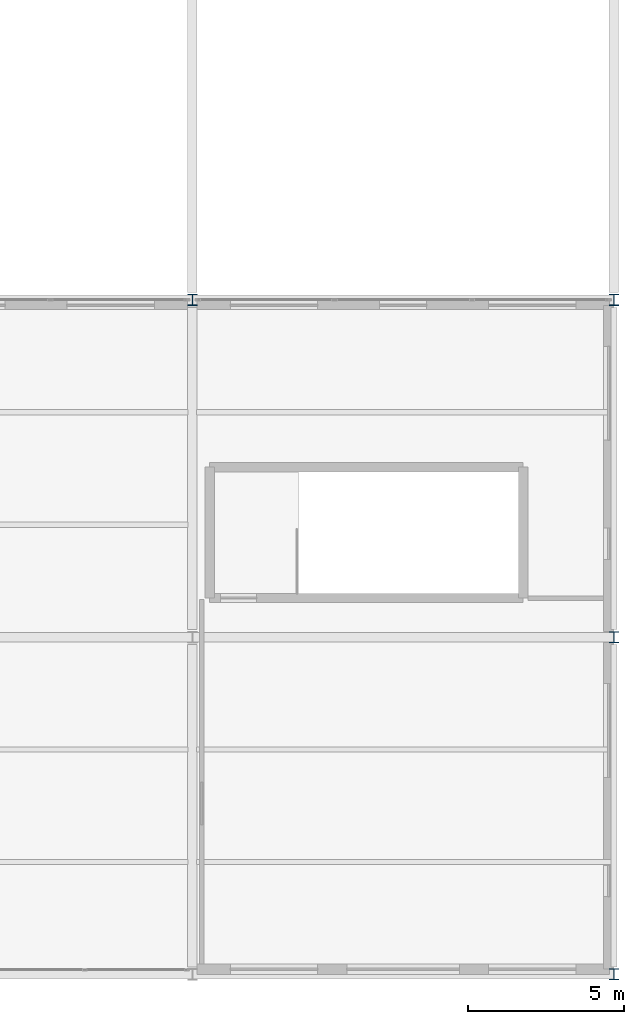
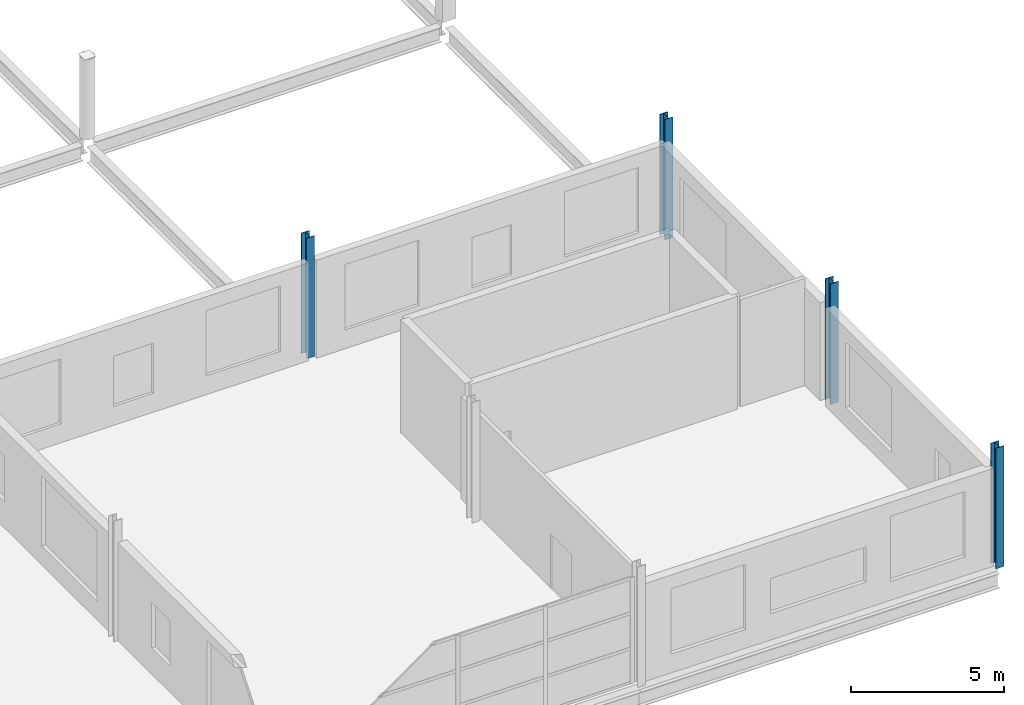
# One storey, part 14 of 134: 4 columns.
"""IFC4 building model written with IfcOpenShell, lengths in metres."""

from ifc_helpers import new_model, si_unit, direction, frame, origin, origin_2d, place, context, subcontext, project, spatial, i_section, extrude, material, material_profile, profile_set, type_object, element, save


model = new_model("IFC4")

# Units and contexts
model_context = context("Model", 3, precision=1e-05, world=origin(), true_north=direction((0.0, 1.0)))
body_context = subcontext(model_context, "Body", "Model", "MODEL_VIEW")
ifc_project = project(units=[si_unit("LENGTHUNIT", "METRE"), si_unit("AREAUNIT", "SQUARE_METRE"), si_unit("VOLUMEUNIT", "CUBIC_METRE"), si_unit("PLANEANGLEUNIT", "RADIAN"), si_unit("MASSUNIT", "GRAM", prefix="KILO")], contexts=[model_context])

# Site, building, storey
site_placement = place(None, origin())
site = spatial("IfcSite", under=ifc_project, at=site_placement, CompositionType="ELEMENT")
building_placement = place(site_placement, origin())
building = spatial("IfcBuilding", under=site, at=building_placement, Name="Tamarisk Ironworks Central Station", CompositionType="ELEMENT")
storey_placement = place(building_placement, frame((0.0, 0.0, 12.60009765625)))
storey = spatial("IfcBuildingStorey", under=building, at=storey_placement, Name="L02", CompositionType="ELEMENT", Elevation=12.60009765625)

# Columns
ifc_material = material(Name="Structural steel S355J2", Category="steel")
ifc_material_profile = material_profile(ifc_material, i_section(OverallWidth=0.300048828125, OverallDepth=0.360107421875, WebThickness=0.012451171875, FlangeThickness=0.0224609375, at=origin_2d()), Name="HEB 360")
ifc_profile_set = profile_set([ifc_material_profile], Name="Structural steel S355J2")
column_type = type_object("IfcColumnType", Name="COL-S10", PredefinedType="COLUMN", material=ifc_profile_set)
for number, where, z_axis, x_axis, name in (
    (1, (166.5, 21.60009765625, 0.0), (0.0, 0.0, 1.0), (1.0, 0.0, 0.0), "L02 column V5S-19C"),
    (2, (180.0, 0.0, 0.0), (0.0, 0.0, 1.0), (1.0, 0.0, 0.0), "L02 column V5S-20A"),
    (3, (180.0, 10.800048828125, 0.0), (0.0, 0.0, 1.0), (1.0, 0.0, 0.0), "L02 column V5S-20B"),
    (4, (180.0, 21.60009765625, 0.0), (0.0, 0.0, 1.0), (1.0, 0.0, 0.0), "L02 column V5S-20C"),
):
    element("IfcColumn", number, at=place(storey_placement, frame(where, z_axis=z_axis, x_axis=x_axis)), inside=storey, type_object=column_type, Name=name, PredefinedType="COLUMN", context=body_context, shape_type="SweptSolid", body=[
        extrude(i_section(OverallWidth=0.300048828125, OverallDepth=0.360107421875, WebThickness=0.012451171875, FlangeThickness=0.0224609375, at=origin_2d()), origin(), (0.0, 0.0, 1.0), 4.7998046875),
    ])

save(model, "model.ifc")
